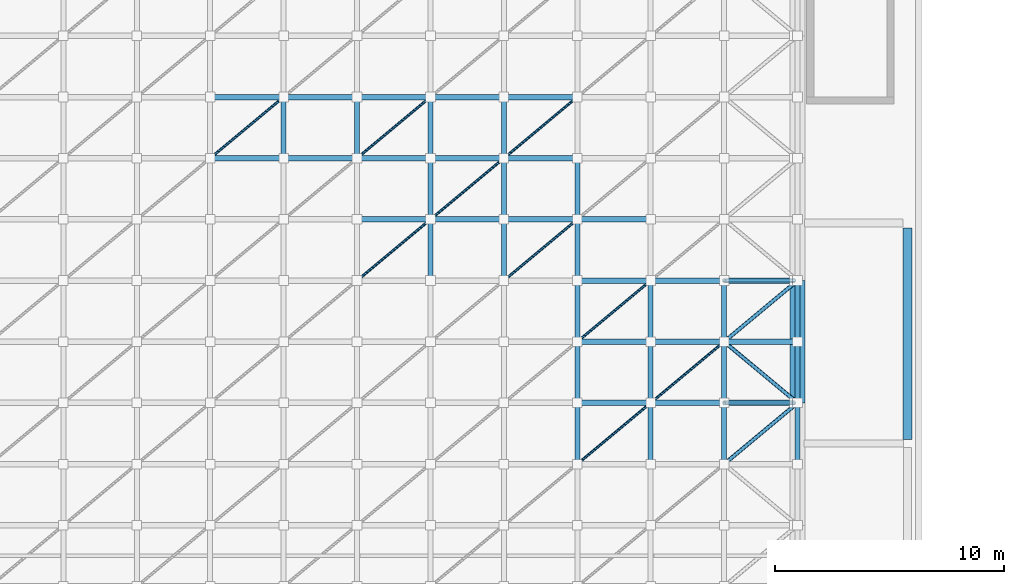
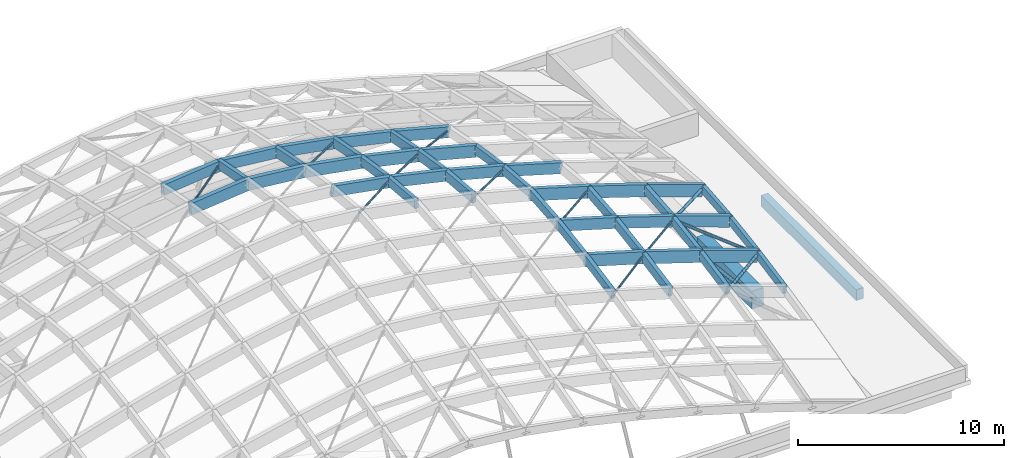
# One storey, part 20 of 40: 59 members, 2 beams.
"""IFC4 building model written with IfcOpenShell, lengths in metres."""

from ifc_helpers import new_model, si_unit, direction, frame, origin, origin_2d, place, context, subcontext, project, spatial, rectangle, hollow_circle, extrude, material, material_profile, profile_set, type_object, element, save


model = new_model("IFC4")

# Units and contexts
model_context = context("Model", 3, precision=1e-05, world=origin(), true_north=direction((0.0, 1.0)))
body_context = subcontext(model_context, "Body", "Model", "MODEL_VIEW")
ifc_project = project(units=[si_unit("LENGTHUNIT", "METRE"), si_unit("AREAUNIT", "SQUARE_METRE"), si_unit("VOLUMEUNIT", "CUBIC_METRE"), si_unit("PLANEANGLEUNIT", "RADIAN"), si_unit("MASSUNIT", "GRAM", prefix="KILO")], contexts=[model_context])

# Site, building, storey
site_placement = place(None, origin())
site = spatial("IfcSite", under=ifc_project, at=site_placement, CompositionType="ELEMENT")
building_placement = place(site_placement, origin())
building = spatial("IfcBuilding", under=site, at=building_placement, Name="Mzevani Central Library", CompositionType="ELEMENT")
storey_placement = place(building_placement, frame((0.0, 0.0, 26.699951171875)))
storey = spatial("IfcBuildingStorey", under=building, at=storey_placement, Name="RF", CompositionType="ELEMENT", Elevation=26.699951171875)

# Beam
ifc_material_1 = material(Name="Concrete C35/45", Category="concrete")
ifc_material_profile_1 = material_profile(ifc_material_1, rectangle(XDim=0.39990234375, YDim=0.64990234375, at=origin_2d()), Name="RC B400x650")
ifc_profile_set_1 = profile_set([ifc_material_profile_1], Name="Concrete C35/45")
beam_type_1 = type_object("IfcBeamType", Name="Beam RC 400x650", PredefinedType="BEAM", material=ifc_profile_set_1)
beam_1_placement = place(storey_placement, frame((163.800048828125, 52.175048828125, -13.48486328125), z_axis=(0.0, 1.0, 0.0), x_axis=(-1.0, 0.0, 0.0)))
element("IfcBeam", 1, at=beam_1_placement, inside=storey, type_object=beam_type_1, Name="RF V1 Frame Beam B-07 (174)", PredefinedType="BEAM", context=body_context, shape_type="SweptSolid", body=[
    extrude(rectangle(XDim=0.39990234375, YDim=0.64990234375, at=origin_2d()), origin(), (0.0, 0.0, 1.0), 9.224853515625),
])

# Members
ifc_material_2 = material(Name="Steel S355J2", Category="steel")
ifc_material_profile_2 = material_profile(ifc_material_2, hollow_circle(Radius=0.096923828125, WallThickness=0.010009765625, at=origin_2d()), Name="CHS 193.7x10.0")
ifc_profile_set_2 = profile_set([ifc_material_profile_2], Name="Steel S355J2")
member_type_1 = type_object("IfcMemberType", Name="Gridshell Corner Raker CHS 193.7", PredefinedType="BRACE", material=ifc_profile_set_2)
member_1_placement = place(storey_placement, frame((158.85009765625, 53.7666015625, -12.949951171875), z_axis=(-0.641107649177, 0.0, 0.767450964015), x_axis=(0.0, -1.0, 0.0)))
element("IfcMember", 2, at=member_1_placement, inside=storey, type_object=member_type_1, Name="RF Gridshell East Springing Raker 2", PredefinedType="BRACE", context=body_context, shape_type="SweptSolid", body=[
    extrude(hollow_circle(Radius=0.096923828125, WallThickness=0.010009765625, at=origin_2d()), origin(), (0.0, 0.0, 1.0), 4.757568359375),
])
member_2_placement = place(storey_placement, frame((158.85009765625, 59.10009765625, -12.949951171875), z_axis=(-0.578392368262, 0.0, 0.815758707178), x_axis=(0.0, -1.0, 0.0)))
element("IfcMember", 3, at=member_2_placement, inside=storey, type_object=member_type_1, Name="RF Gridshell East Springing Raker 3", PredefinedType="BRACE", context=body_context, shape_type="SweptSolid", body=[
    extrude(hollow_circle(Radius=0.096923828125, WallThickness=0.010009765625, at=origin_2d()), origin(), (0.0, 0.0, 1.0), 5.2734375),
])
ifc_material_profile_3 = material_profile(ifc_material_2, hollow_circle(Radius=0.05712890625, WallThickness=0.00634765625, at=origin_2d()), Name="CHS 114.3x6.3")
ifc_profile_set_3 = profile_set([ifc_material_profile_3], Name="Steel S355J2")
member_type_2 = type_object("IfcMemberType", Name="Gridshell Diagonal Brace CHS 114.3", PredefinedType="BRACE", material=ifc_profile_set_3)
member_3_placement = place(storey_placement, frame((133.39990234375, 64.433349609375, -5.1337890625), z_axis=(0.767453861287, 0.639525368236, -0.044965255223), x_axis=(-0.640172870191, 0.768230887345, 0.0)))
element("IfcMember", 4, at=member_3_placement, inside=storey, type_object=member_type_2, Name="RF Gridshell Steel Diagonal 7.9", PredefinedType="BRACE", context=body_context, shape_type="SweptSolid", body=[
    extrude(hollow_circle(Radius=0.05712890625, WallThickness=0.00634765625, at=origin_2d()), origin(), (0.0, 0.0, 1.0), 4.169921875),
])
member_4_placement = place(storey_placement, frame((139.800048828125, 59.10009765625, -4.483154296875), z_axis=(0.753924665613, 0.628241794295, -0.192119354783), x_axis=(-0.640167103973, 0.768235692344, 0.0)))
element("IfcMember", 5, at=member_4_placement, inside=storey, type_object=member_type_2, Name="RF Gridshell Steel Diagonal 9.7", PredefinedType="BRACE", context=body_context, shape_type="SweptSolid", body=[
    extrude(hollow_circle(Radius=0.05712890625, WallThickness=0.00634765625, at=origin_2d()), origin(), (0.0, 0.0, 1.0), 4.244384765625),
])
member_5_placement = place(storey_placement, frame((139.800048828125, 64.433349609375, -5.1337890625), z_axis=(0.742837703415, 0.619059756955, -0.254866952946), x_axis=(-0.640201694382, 0.768206867003, 0.0)))
element("IfcMember", 6, at=member_5_placement, inside=storey, type_object=member_type_2, Name="RF Gridshell Steel Diagonal 9.9", PredefinedType="BRACE", context=body_context, shape_type="SweptSolid", body=[
    extrude(hollow_circle(Radius=0.05712890625, WallThickness=0.00634765625, at=origin_2d()), origin(), (0.0, 0.0, 1.0), 4.307861328125),
])
member_6_placement = place(storey_placement, frame((143.0, 61.7666015625, -5.298583984375), z_axis=(0.74090866482, 0.617452151204, -0.264210505788), x_axis=(-0.640201694382, 0.768206867003, 0.0)))
element("IfcMember", 7, at=member_6_placement, inside=storey, type_object=member_type_2, Name="RF Gridshell Steel Diagonal 10.8", PredefinedType="BRACE", context=body_context, shape_type="SweptSolid", body=[
    extrude(hollow_circle(Radius=0.05712890625, WallThickness=0.00634765625, at=origin_2d()), origin(), (0.0, 0.0, 1.0), 4.31884765625),
])
member_7_placement = place(storey_placement, frame((146.199951171875, 59.10009765625, -5.7890625), z_axis=(0.743355359133, 0.619434442088, -0.252435698749), x_axis=(-0.640167103973, 0.768235692344, 0.0)))
element("IfcMember", 8, at=member_7_placement, inside=storey, type_object=member_type_2, Name="RF Gridshell Steel Diagonal 11.7", PredefinedType="BRACE", context=body_context, shape_type="SweptSolid", body=[
    extrude(hollow_circle(Radius=0.05712890625, WallThickness=0.00634765625, at=origin_2d()), origin(), (0.0, 0.0, 1.0), 4.3046875),
])
member_8_placement = place(storey_placement, frame((146.199951171875, 64.433349609375, -6.439697265625), z_axis=(0.729795837486, 0.608191037831, -0.312252617427), x_axis=(-0.640201694382, 0.768206867003, 0.0)))
element("IfcMember", 9, at=member_8_placement, inside=storey, type_object=member_type_2, Name="RF Gridshell Steel Diagonal 11.9", PredefinedType="BRACE", context=body_context, shape_type="SweptSolid", body=[
    extrude(hollow_circle(Radius=0.05712890625, WallThickness=0.00634765625, at=origin_2d()), origin(), (0.0, 0.0, 1.0), 4.384765625),
])
member_9_placement = place(storey_placement, frame((149.39990234375, 51.10009765625, -7.808837890625), z_axis=(0.764204648471, 0.636759472887, -0.102609107515), x_axis=(-0.640138279177, 0.768259710991, 0.0)))
element("IfcMember", 10, at=member_9_placement, inside=storey, type_object=member_type_2, Name="RF Gridshell Steel Diagonal 12.4", PredefinedType="BRACE", context=body_context, shape_type="SweptSolid", body=[
    extrude(hollow_circle(Radius=0.05712890625, WallThickness=0.00634765625, at=origin_2d()), origin(), (0.0, 0.0, 1.0), 4.1875),
])
member_10_placement = place(storey_placement, frame((149.39990234375, 56.433349609375, -6.875732421875), z_axis=(0.757244607319, 0.631017916215, -0.168514076865), x_axis=(-0.640172870191, 0.768230887345, 0.0)))
element("IfcMember", 11, at=member_10_placement, inside=storey, type_object=member_type_2, Name="RF Gridshell Steel Diagonal 12.6", PredefinedType="BRACE", context=body_context, shape_type="SweptSolid", body=[
    extrude(hollow_circle(Radius=0.05712890625, WallThickness=0.00634765625, at=origin_2d()), origin(), (0.0, 0.0, 1.0), 4.22607421875),
])
member_11_placement = place(storey_placement, frame((152.60009765625, 53.7666015625, -8.238525390625), z_axis=(0.759624361596, 0.633049279142, -0.149061864502), x_axis=(-0.640201694382, 0.768206867003, 0.0)))
element("IfcMember", 12, at=member_11_placement, inside=storey, type_object=member_type_2, Name="RF Gridshell Steel Diagonal 13.5", PredefinedType="BRACE", context=body_context, shape_type="SweptSolid", body=[
    extrude(hollow_circle(Radius=0.05712890625, WallThickness=0.00634765625, at=origin_2d()), origin(), (0.0, 0.0, 1.0), 4.212646484375),
])
ifc_material_3 = material(Name="Glulam GL28h", Category="wood")
ifc_material_profile_4 = material_profile(ifc_material_3, rectangle(XDim=0.199951171875, YDim=0.47998046875, at=origin_2d()), Name="GL28h 200x480")
ifc_profile_set_4 = profile_set([ifc_material_profile_4], Name="Glulam GL28h")
member_type_3 = type_object("IfcMemberType", Name="Gridshell Edge Rib GL28h 200x480", PredefinedType="RAFTER", material=ifc_profile_set_4)
member_12_placement = place(storey_placement, frame((159.0, 51.10009765625, -10.89111328125), z_axis=(0.0, 0.981475757945, 0.191586368425), x_axis=(-1.0, 0.0, 0.0)))
element("IfcMember", 13, at=member_12_placement, inside=storey, type_object=member_type_3, Name="RF Gridshell Glulam Transverse Rib Y15.4", PredefinedType="RAFTER", context=body_context, shape_type="SweptSolid", body=[
    extrude(rectangle(XDim=0.199951171875, YDim=0.47998046875, at=origin_2d()), origin(), (0.0, 0.0, 1.0), 2.716796875),
])
member_13_placement = place(storey_placement, frame((159.0, 53.7666015625, -10.37060546875), z_axis=(0.0, 0.988241642061, 0.152900153354), x_axis=(-1.0, 0.0, 0.0)))
element("IfcMember", 14, at=member_13_placement, inside=storey, type_object=member_type_3, Name="RF Gridshell Glulam Transverse Rib Y15.5", PredefinedType="RAFTER", context=body_context, shape_type="SweptSolid", body=[
    extrude(rectangle(XDim=0.199951171875, YDim=0.47998046875, at=origin_2d()), origin(), (0.0, 0.0, 1.0), 2.698486328125),
])
member_14_placement = place(storey_placement, frame((159.0, 56.433349609375, -9.9580078125), z_axis=(0.0, 0.996039868593, 0.08890770593), x_axis=(-1.0, 0.0, 0.0)))
element("IfcMember", 15, at=member_14_placement, inside=storey, type_object=member_type_3, Name="RF Gridshell Glulam Transverse Rib Y15.6", PredefinedType="RAFTER", context=body_context, shape_type="SweptSolid", body=[
    extrude(rectangle(XDim=0.199951171875, YDim=0.47998046875, at=origin_2d()), origin(), (0.0, 0.0, 1.0), 2.67724609375),
])
ifc_material_profile_5 = material_profile(ifc_material_3, rectangle(XDim=0.239990234375, YDim=0.6201171875, at=origin_2d()), Name="GL28h 240x620")
ifc_profile_set_5 = profile_set([ifc_material_profile_5], Name="Glulam GL28h")
member_type_4 = type_object("IfcMemberType", Name="Gridshell Primary Rib GL28h 240x620", PredefinedType="RAFTER", material=ifc_profile_set_5)
member_15_placement = place(storey_placement, frame((149.39990234375, 56.433349609375, -6.915771484375), z_axis=(0.958635641973, 0.0, -0.284636093879), x_axis=(0.0, 1.0, 0.0)))
element("IfcMember", 16, at=member_15_placement, inside=storey, type_object=member_type_4, Name="RF Gridshell Glulam Arch Rib X6.12", PredefinedType="RAFTER", context=body_context, shape_type="SweptSolid", body=[
    extrude(rectangle(XDim=0.239990234375, YDim=0.6201171875, at=origin_2d()), origin(), (0.0, 0.0, 1.0), 3.33837890625),
])
member_16_placement = place(storey_placement, frame((152.60009765625, 56.433349609375, -7.865966796875), z_axis=(0.950986603107, 0.0, -0.30923208228), x_axis=(0.0, 1.0, 0.0)))
element("IfcMember", 17, at=member_16_placement, inside=storey, type_object=member_type_4, Name="RF Gridshell Glulam Arch Rib X6.13", PredefinedType="RAFTER", context=body_context, shape_type="SweptSolid", body=[
    extrude(rectangle(XDim=0.239990234375, YDim=0.6201171875, at=origin_2d()), origin(), (0.0, 0.0, 1.0), 3.364990234375),
])
member_17_placement = place(storey_placement, frame((155.800048828125, 56.433349609375, -8.906494140625), z_axis=(0.943711214964, 0.0, -0.330770528843), x_axis=(0.0, 1.0, 0.0)))
element("IfcMember", 18, at=member_17_placement, inside=storey, type_object=member_type_4, Name="RF Gridshell Glulam Arch Rib X6.14", PredefinedType="RAFTER", context=body_context, shape_type="SweptSolid", body=[
    extrude(rectangle(XDim=0.239990234375, YDim=0.6201171875, at=origin_2d()), origin(), (0.0, 0.0, 1.0), 3.390869140625),
])
member_18_placement = place(storey_placement, frame((139.800048828125, 61.7666015625, -4.761474609375), z_axis=(0.984121212692, 0.0, -0.177497714718), x_axis=(0.0, 1.0, 0.0)))
element("IfcMember", 19, at=member_18_placement, inside=storey, type_object=member_type_4, Name="RF Gridshell Glulam Arch Rib X8.9", PredefinedType="RAFTER", context=body_context, shape_type="SweptSolid", body=[
    extrude(rectangle(XDim=0.239990234375, YDim=0.6201171875, at=origin_2d()), origin(), (0.0, 0.0, 1.0), 3.25146484375),
])
member_19_placement = place(storey_placement, frame((143.0, 61.7666015625, -5.338623046875), z_axis=(0.975050212006, 0.0, -0.221984423028), x_axis=(0.0, 1.0, 0.0)))
element("IfcMember", 20, at=member_19_placement, inside=storey, type_object=member_type_4, Name="RF Gridshell Glulam Arch Rib X8.10", PredefinedType="RAFTER", context=body_context, shape_type="SweptSolid", body=[
    extrude(rectangle(XDim=0.239990234375, YDim=0.6201171875, at=origin_2d()), origin(), (0.0, 0.0, 1.0), 3.28173828125),
])
member_20_placement = place(storey_placement, frame((146.199951171875, 61.7666015625, -6.067138671875), z_axis=(0.966586546506, 0.0, -0.256340492535), x_axis=(0.0, 1.0, 0.0)))
element("IfcMember", 21, at=member_20_placement, inside=storey, type_object=member_type_4, Name="RF Gridshell Glulam Arch Rib X8.11", PredefinedType="RAFTER", context=body_context, shape_type="SweptSolid", body=[
    extrude(rectangle(XDim=0.239990234375, YDim=0.6201171875, at=origin_2d()), origin(), (0.0, 0.0, 1.0), 3.310546875),
])
member_21_placement = place(storey_placement, frame((149.39990234375, 61.7666015625, -6.915771484375), z_axis=(0.958635641973, 0.0, -0.284636093879), x_axis=(0.0, 1.0, 0.0)))
element("IfcMember", 22, at=member_21_placement, inside=storey, type_object=member_type_4, Name="RF Gridshell Glulam Arch Rib X8.12", PredefinedType="RAFTER", context=body_context, shape_type="SweptSolid", body=[
    extrude(rectangle(XDim=0.239990234375, YDim=0.6201171875, at=origin_2d()), origin(), (0.0, 0.0, 1.0), 3.33837890625),
])
member_22_placement = place(storey_placement, frame((133.39990234375, 67.10009765625, -5.694580078125), z_axis=(0.994621666406, 0.0, 0.103574807342), x_axis=(0.0, 1.0, 0.0)))
element("IfcMember", 23, at=member_22_placement, inside=storey, type_object=member_type_4, Name="RF Gridshell Glulam Arch Rib X10.7", PredefinedType="RAFTER", context=body_context, shape_type="SweptSolid", body=[
    extrude(rectangle(XDim=0.239990234375, YDim=0.6201171875, at=origin_2d()), origin(), (0.0, 0.0, 1.0), 3.217529296875),
])
member_23_placement = place(storey_placement, frame((136.60009765625, 67.10009765625, -5.361328125), z_axis=(0.994620852304, 0.0, -0.103582624811), x_axis=(0.0, 1.0, 0.0)))
element("IfcMember", 24, at=member_23_placement, inside=storey, type_object=member_type_4, Name="RF Gridshell Glulam Arch Rib X10.8", PredefinedType="RAFTER", context=body_context, shape_type="SweptSolid", body=[
    extrude(rectangle(XDim=0.239990234375, YDim=0.6201171875, at=origin_2d()), origin(), (0.0, 0.0, 1.0), 3.21728515625),
])
member_24_placement = place(storey_placement, frame((139.800048828125, 67.10009765625, -5.694580078125), z_axis=(0.984121212692, 0.0, -0.177497714718), x_axis=(0.0, 1.0, 0.0)))
element("IfcMember", 25, at=member_24_placement, inside=storey, type_object=member_type_4, Name="RF Gridshell Glulam Arch Rib X10.9", PredefinedType="RAFTER", context=body_context, shape_type="SweptSolid", body=[
    extrude(rectangle(XDim=0.239990234375, YDim=0.6201171875, at=origin_2d()), origin(), (0.0, 0.0, 1.0), 3.25146484375),
])
member_25_placement = place(storey_placement, frame((143.0, 67.10009765625, -6.271728515625), z_axis=(0.975034107954, 0.0, -0.222055147039), x_axis=(0.0, 1.0, 0.0)))
element("IfcMember", 26, at=member_25_placement, inside=storey, type_object=member_type_4, Name="RF Gridshell Glulam Arch Rib X10.10", PredefinedType="RAFTER", context=body_context, shape_type="SweptSolid", body=[
    extrude(rectangle(XDim=0.239990234375, YDim=0.6201171875, at=origin_2d()), origin(), (0.0, 0.0, 1.0), 3.281982421875),
])
member_26_placement = place(storey_placement, frame((146.199951171875, 67.10009765625, -7.00048828125), z_axis=(0.966604816788, 0.0, -0.256271590626), x_axis=(0.0, 1.0, 0.0)))
element("IfcMember", 27, at=member_26_placement, inside=storey, type_object=member_type_4, Name="RF Gridshell Glulam Arch Rib X10.11", PredefinedType="RAFTER", context=body_context, shape_type="SweptSolid", body=[
    extrude(rectangle(XDim=0.239990234375, YDim=0.6201171875, at=origin_2d()), origin(), (0.0, 0.0, 1.0), 3.310546875),
])
ifc_material_profile_6 = material_profile(ifc_material_3, rectangle(XDim=0.239990234375, YDim=0.679931640625, at=origin_2d()), Name="GL28h 240x680")
ifc_profile_set_6 = profile_set([ifc_material_profile_6], Name="Glulam GL28h")
member_type_5 = type_object("IfcMemberType", Name="Gridshell Primary Rib GL28h 240x680", PredefinedType="RAFTER", material=ifc_profile_set_6)
member_27_placement = place(storey_placement, frame((149.39990234375, 53.7666015625, -7.358154296875), z_axis=(0.958615684622, 0.0, -0.284703300292), x_axis=(0.0, 1.0, 0.0)))
element("IfcMember", 28, at=member_27_placement, inside=storey, type_object=member_type_5, Name="RF Gridshell Glulam Arch Rib X5.12", PredefinedType="RAFTER", context=body_context, shape_type="SweptSolid", body=[
    extrude(rectangle(XDim=0.239990234375, YDim=0.679931640625, at=origin_2d()), origin(), (0.0, 0.0, 1.0), 3.33837890625),
])
member_28_placement = place(storey_placement, frame((152.60009765625, 53.7666015625, -8.30859375), z_axis=(0.951007938159, 0.0, -0.309166462539), x_axis=(0.0, 1.0, 0.0)))
element("IfcMember", 29, at=member_28_placement, inside=storey, type_object=member_type_5, Name="RF Gridshell Glulam Arch Rib X5.13", PredefinedType="RAFTER", context=body_context, shape_type="SweptSolid", body=[
    extrude(rectangle(XDim=0.239990234375, YDim=0.679931640625, at=origin_2d()), origin(), (0.0, 0.0, 1.0), 3.36474609375),
])
member_29_placement = place(storey_placement, frame((155.800048828125, 53.7666015625, -9.348876953125), z_axis=(0.943711214964, 0.0, -0.330770528843), x_axis=(0.0, 1.0, 0.0)))
element("IfcMember", 30, at=member_29_placement, inside=storey, type_object=member_type_5, Name="RF Gridshell Glulam Arch Rib X5.14", PredefinedType="RAFTER", context=body_context, shape_type="SweptSolid", body=[
    extrude(rectangle(XDim=0.239990234375, YDim=0.679931640625, at=origin_2d()), origin(), (0.0, 0.0, 1.0), 3.390869140625),
])
member_30_placement = place(storey_placement, frame((149.39990234375, 59.10009765625, -6.70751953125), z_axis=(0.958615684622, 0.0, -0.284703300292), x_axis=(0.0, 1.0, 0.0)))
element("IfcMember", 31, at=member_30_placement, inside=storey, type_object=member_type_5, Name="RF Gridshell Glulam Arch Rib X7.12", PredefinedType="RAFTER", context=body_context, shape_type="SweptSolid", body=[
    extrude(rectangle(XDim=0.239990234375, YDim=0.679931640625, at=origin_2d()), origin(), (0.0, 0.0, 1.0), 3.33837890625),
])
member_31_placement = place(storey_placement, frame((152.60009765625, 59.10009765625, -7.657958984375), z_axis=(0.951007938159, 0.0, -0.309166462539), x_axis=(0.0, 1.0, 0.0)))
element("IfcMember", 32, at=member_31_placement, inside=storey, type_object=member_type_5, Name="RF Gridshell Glulam Arch Rib X7.13", PredefinedType="RAFTER", context=body_context, shape_type="SweptSolid", body=[
    extrude(rectangle(XDim=0.239990234375, YDim=0.679931640625, at=origin_2d()), origin(), (0.0, 0.0, 1.0), 3.36474609375),
])
member_32_placement = place(storey_placement, frame((155.800048828125, 59.10009765625, -8.6982421875), z_axis=(0.943688738215, 0.0, -0.330834649584), x_axis=(0.0, 1.0, 0.0)))
element("IfcMember", 33, at=member_32_placement, inside=storey, type_object=member_type_5, Name="RF Gridshell Glulam Arch Rib X7.14", PredefinedType="RAFTER", context=body_context, shape_type="SweptSolid", body=[
    extrude(rectangle(XDim=0.239990234375, YDim=0.679931640625, at=origin_2d()), origin(), (0.0, 0.0, 1.0), 3.390869140625),
])
member_33_placement = place(storey_placement, frame((133.39990234375, 64.433349609375, -5.203857421875), z_axis=(0.994621666406, 0.0, 0.103574807342), x_axis=(0.0, 1.0, 0.0)))
element("IfcMember", 34, at=member_33_placement, inside=storey, type_object=member_type_5, Name="RF Gridshell Glulam Arch Rib X9.7", PredefinedType="RAFTER", context=body_context, shape_type="SweptSolid", body=[
    extrude(rectangle(XDim=0.239990234375, YDim=0.679931640625, at=origin_2d()), origin(), (0.0, 0.0, 1.0), 3.217529296875),
])
member_34_placement = place(storey_placement, frame((136.60009765625, 64.433349609375, -4.87060546875), z_axis=(0.994620852304, 0.0, -0.103582624811), x_axis=(0.0, 1.0, 0.0)))
element("IfcMember", 35, at=member_34_placement, inside=storey, type_object=member_type_5, Name="RF Gridshell Glulam Arch Rib X9.8", PredefinedType="RAFTER", context=body_context, shape_type="SweptSolid", body=[
    extrude(rectangle(XDim=0.239990234375, YDim=0.679931640625, at=origin_2d()), origin(), (0.0, 0.0, 1.0), 3.21728515625),
])
member_35_placement = place(storey_placement, frame((139.800048828125, 64.433349609375, -5.203857421875), z_axis=(0.984121212692, 0.0, -0.177497714718), x_axis=(0.0, 1.0, 0.0)))
element("IfcMember", 36, at=member_35_placement, inside=storey, type_object=member_type_5, Name="RF Gridshell Glulam Arch Rib X9.9", PredefinedType="RAFTER", context=body_context, shape_type="SweptSolid", body=[
    extrude(rectangle(XDim=0.239990234375, YDim=0.679931640625, at=origin_2d()), origin(), (0.0, 0.0, 1.0), 3.25146484375),
])
member_36_placement = place(storey_placement, frame((143.0, 64.433349609375, -5.781005859375), z_axis=(0.975034107954, 0.0, -0.222055147039), x_axis=(0.0, 1.0, 0.0)))
element("IfcMember", 37, at=member_36_placement, inside=storey, type_object=member_type_5, Name="RF Gridshell Glulam Arch Rib X9.10", PredefinedType="RAFTER", context=body_context, shape_type="SweptSolid", body=[
    extrude(rectangle(XDim=0.239990234375, YDim=0.679931640625, at=origin_2d()), origin(), (0.0, 0.0, 1.0), 3.281982421875),
])
member_37_placement = place(storey_placement, frame((146.199951171875, 64.433349609375, -6.509765625), z_axis=(0.966604816788, 0.0, -0.256271590626), x_axis=(0.0, 1.0, 0.0)))
element("IfcMember", 38, at=member_37_placement, inside=storey, type_object=member_type_5, Name="RF Gridshell Glulam Arch Rib X9.11", PredefinedType="RAFTER", context=body_context, shape_type="SweptSolid", body=[
    extrude(rectangle(XDim=0.239990234375, YDim=0.679931640625, at=origin_2d()), origin(), (0.0, 0.0, 1.0), 3.310546875),
])

# Beam
ifc_material_4 = material(Name="Concrete C40/50", Category="concrete")
ifc_material_profile_7 = material_profile(ifc_material_4, rectangle(XDim=0.64990234375, YDim=1.050048828125, at=origin_2d()), Name="RC RB650x1050")
ifc_profile_set_7 = profile_set([ifc_material_profile_7], Name="Concrete C40/50")
beam_type_2 = type_object("IfcBeamType", Name="Gridshell Ring Beam RC 650x1050", PredefinedType="BEAM", material=ifc_profile_set_7)
beam_2_placement = place(storey_placement, frame((159.0, 53.7666015625, -13.02490234375), z_axis=(0.0, 1.0, 0.0), x_axis=(-1.0, 0.0, 0.0)))
element("IfcBeam", 39, at=beam_2_placement, inside=storey, type_object=beam_type_2, Name="RF Gridshell Ring Beam East Bay 3", PredefinedType="BEAM", context=body_context, shape_type="SweptSolid", body=[
    extrude(rectangle(XDim=0.64990234375, YDim=1.050048828125, at=origin_2d()), origin(), (0.0, 0.0, 1.0), 5.33349609375),
])

# Members
ifc_material_profile_8 = material_profile(ifc_material_2, hollow_circle(Radius=0.084228515625, WallThickness=0.010009765625, at=origin_2d()), Name="CHS 168.3x10.0")
ifc_profile_set_8 = profile_set([ifc_material_profile_8], Name="Steel S355J2")
member_type_6 = type_object("IfcMemberType", Name="Gridshell Springing Brace CHS 168.3", PredefinedType="BRACE", material=ifc_profile_set_8)
member_38_placement = place(storey_placement, frame((155.800048828125, 51.10009765625, -9.799560546875), z_axis=(0.760359721257, 0.633604095184, -0.14282487478), x_axis=(-0.640167103973, 0.768235692344, 0.0)))
element("IfcMember", 40, at=member_38_placement, inside=storey, type_object=member_type_6, Name="RF Gridshell Steel Diagonal 14.4", PredefinedType="BRACE", context=body_context, shape_type="SweptSolid", body=[
    extrude(hollow_circle(Radius=0.084228515625, WallThickness=0.010009765625, at=origin_2d()), origin(), (0.0, 0.0, 1.0), 4.20849609375),
])
member_39_placement = place(storey_placement, frame((155.800048828125, 56.433349609375, -8.866455078125), z_axis=(0.720868076793, -0.600750896682, -0.345611886364), x_axis=(0.640201694382, 0.768206867003, 0.0)))
element("IfcMember", 41, at=member_39_placement, inside=storey, type_object=member_type_6, Name="RF Gridshell Steel Diagonal 14.5", PredefinedType="BRACE", context=body_context, shape_type="SweptSolid", body=[
    extrude(hollow_circle(Radius=0.084228515625, WallThickness=0.010009765625, at=origin_2d()), origin(), (0.0, 0.0, 1.0), 4.43896484375),
])
member_40_placement = place(storey_placement, frame((155.800048828125, 56.433349609375, -8.866455078125), z_axis=(0.751487709536, 0.626268425365, -0.207494775373), x_axis=(-0.640201694382, 0.768206867003, 0.0)))
element("IfcMember", 42, at=member_40_placement, inside=storey, type_object=member_type_6, Name="RF Gridshell Steel Diagonal 14.6", PredefinedType="BRACE", context=body_context, shape_type="SweptSolid", body=[
    extrude(hollow_circle(Radius=0.084228515625, WallThickness=0.010009765625, at=origin_2d()), origin(), (0.0, 0.0, 1.0), 4.258056640625),
])
ifc_material_profile_9 = material_profile(ifc_material_3, rectangle(XDim=0.219970703125, YDim=0.52001953125, at=origin_2d()), Name="GL28h 220x520")
ifc_profile_set_9 = profile_set([ifc_material_profile_9], Name="Glulam GL28h")
member_type_7 = type_object("IfcMemberType", Name="Gridshell Transverse Rib GL28h 220x520", PredefinedType="RAFTER", material=ifc_profile_set_9)
member_41_placement = place(storey_placement, frame((136.60009765625, 64.433349609375, -4.79052734375), z_axis=(0.0, 0.981462157865, -0.191656026982), x_axis=(-1.0, 0.0, 0.0)))
element("IfcMember", 43, at=member_41_placement, inside=storey, type_object=member_type_7, Name="RF Gridshell Glulam Transverse Rib Y8.9", PredefinedType="RAFTER", context=body_context, shape_type="SweptSolid", body=[
    extrude(rectangle(XDim=0.219970703125, YDim=0.52001953125, at=origin_2d()), origin(), (0.0, 0.0, 1.0), 2.717041015625),
])
member_42_placement = place(storey_placement, frame((143.0, 59.10009765625, -5.050537109375), z_axis=(0.0, 0.996039147696, -0.088915781817), x_axis=(-1.0, 0.0, 0.0)))
element("IfcMember", 44, at=member_42_placement, inside=storey, type_object=member_type_7, Name="RF Gridshell Glulam Transverse Rib Y10.7", PredefinedType="RAFTER", context=body_context, shape_type="SweptSolid", body=[
    extrude(rectangle(XDim=0.219970703125, YDim=0.52001953125, at=origin_2d()), origin(), (0.0, 0.0, 1.0), 2.677001953125),
])
member_43_placement = place(storey_placement, frame((143.0, 61.7666015625, -5.28857421875), z_axis=(0.0, 0.988241642061, -0.152900153354), x_axis=(-1.0, 0.0, 0.0)))
element("IfcMember", 45, at=member_43_placement, inside=storey, type_object=member_type_7, Name="RF Gridshell Glulam Transverse Rib Y10.8", PredefinedType="RAFTER", context=body_context, shape_type="SweptSolid", body=[
    extrude(rectangle(XDim=0.219970703125, YDim=0.52001953125, at=origin_2d()), origin(), (0.0, 0.0, 1.0), 2.698486328125),
])
member_44_placement = place(storey_placement, frame((143.0, 64.433349609375, -5.701171875), z_axis=(0.0, 0.981479055934, -0.191569472421), x_axis=(-1.0, 0.0, 0.0)))
element("IfcMember", 46, at=member_44_placement, inside=storey, type_object=member_type_7, Name="RF Gridshell Glulam Transverse Rib Y10.9", PredefinedType="RAFTER", context=body_context, shape_type="SweptSolid", body=[
    extrude(rectangle(XDim=0.219970703125, YDim=0.52001953125, at=origin_2d()), origin(), (0.0, 0.0, 1.0), 2.717041015625),
])
member_45_placement = place(storey_placement, frame((149.39990234375, 51.10009765625, -7.798828125), z_axis=(0.0, 0.981458856952, 0.191672930038), x_axis=(-1.0, 0.0, 0.0)))
element("IfcMember", 47, at=member_45_placement, inside=storey, type_object=member_type_7, Name="RF Gridshell Glulam Transverse Rib Y12.4", PredefinedType="RAFTER", context=body_context, shape_type="SweptSolid", body=[
    extrude(rectangle(XDim=0.219970703125, YDim=0.52001953125, at=origin_2d()), origin(), (0.0, 0.0, 1.0), 2.716796875),
])
member_46_placement = place(storey_placement, frame((149.39990234375, 53.7666015625, -7.278076171875), z_axis=(0.0, 0.988255309049, 0.152811793187), x_axis=(-1.0, 0.0, 0.0)))
element("IfcMember", 48, at=member_46_placement, inside=storey, type_object=member_type_7, Name="RF Gridshell Glulam Transverse Rib Y12.5", PredefinedType="RAFTER", context=body_context, shape_type="SweptSolid", body=[
    extrude(rectangle(XDim=0.219970703125, YDim=0.52001953125, at=origin_2d()), origin(), (0.0, 0.0, 1.0), 2.698486328125),
])
member_47_placement = place(storey_placement, frame((149.39990234375, 56.433349609375, -6.86572265625), z_axis=(0.0, 0.996031789394, 0.088998171423), x_axis=(-1.0, 0.0, 0.0)))
element("IfcMember", 49, at=member_47_placement, inside=storey, type_object=member_type_7, Name="RF Gridshell Glulam Transverse Rib Y12.6", PredefinedType="RAFTER", context=body_context, shape_type="SweptSolid", body=[
    extrude(rectangle(XDim=0.219970703125, YDim=0.52001953125, at=origin_2d()), origin(), (0.0, 0.0, 1.0), 2.677490234375),
])
member_48_placement = place(storey_placement, frame((149.39990234375, 59.10009765625, -6.62744140625), z_axis=(0.0, 0.996031067036, -0.089006255395), x_axis=(-1.0, 0.0, 0.0)))
element("IfcMember", 50, at=member_48_placement, inside=storey, type_object=member_type_7, Name="RF Gridshell Glulam Transverse Rib Y12.7", PredefinedType="RAFTER", context=body_context, shape_type="SweptSolid", body=[
    extrude(rectangle(XDim=0.219970703125, YDim=0.52001953125, at=origin_2d()), origin(), (0.0, 0.0, 1.0), 2.67724609375),
])
member_49_placement = place(storey_placement, frame((149.39990234375, 61.7666015625, -6.86572265625), z_axis=(0.0, 0.988255309049, -0.152811793187), x_axis=(-1.0, 0.0, 0.0)))
element("IfcMember", 51, at=member_49_placement, inside=storey, type_object=member_type_7, Name="RF Gridshell Glulam Transverse Rib Y12.8", PredefinedType="RAFTER", context=body_context, shape_type="SweptSolid", body=[
    extrude(rectangle(XDim=0.219970703125, YDim=0.52001953125, at=origin_2d()), origin(), (0.0, 0.0, 1.0), 2.698486328125),
])
member_50_placement = place(storey_placement, frame((155.800048828125, 51.10009765625, -9.78955078125), z_axis=(0.0, 0.981458856952, 0.191672930038), x_axis=(-1.0, 0.0, 0.0)))
element("IfcMember", 52, at=member_50_placement, inside=storey, type_object=member_type_7, Name="RF Gridshell Glulam Transverse Rib Y14.4", PredefinedType="RAFTER", context=body_context, shape_type="SweptSolid", body=[
    extrude(rectangle(XDim=0.219970703125, YDim=0.52001953125, at=origin_2d()), origin(), (0.0, 0.0, 1.0), 2.716796875),
])
member_51_placement = place(storey_placement, frame((155.800048828125, 53.7666015625, -9.268798828125), z_axis=(0.0, 0.988255309049, 0.152811793187), x_axis=(-1.0, 0.0, 0.0)))
element("IfcMember", 53, at=member_51_placement, inside=storey, type_object=member_type_7, Name="RF Gridshell Glulam Transverse Rib Y14.5", PredefinedType="RAFTER", context=body_context, shape_type="SweptSolid", body=[
    extrude(rectangle(XDim=0.219970703125, YDim=0.52001953125, at=origin_2d()), origin(), (0.0, 0.0, 1.0), 2.698486328125),
])
member_52_placement = place(storey_placement, frame((155.800048828125, 56.433349609375, -8.8564453125), z_axis=(0.0, 0.996031789394, 0.088998171423), x_axis=(-1.0, 0.0, 0.0)))
element("IfcMember", 54, at=member_52_placement, inside=storey, type_object=member_type_7, Name="RF Gridshell Glulam Transverse Rib Y14.6", PredefinedType="RAFTER", context=body_context, shape_type="SweptSolid", body=[
    extrude(rectangle(XDim=0.219970703125, YDim=0.52001953125, at=origin_2d()), origin(), (0.0, 0.0, 1.0), 2.677490234375),
])
ifc_material_profile_10 = material_profile(ifc_material_3, rectangle(XDim=0.219970703125, YDim=0.580078125, at=origin_2d()), Name="GL28h 220x580")
ifc_profile_set_10 = profile_set([ifc_material_profile_10], Name="Glulam GL28h")
member_type_8 = type_object("IfcMemberType", Name="Gridshell Transverse Rib GL28h 220x580", PredefinedType="RAFTER", material=ifc_profile_set_10)
member_53_placement = place(storey_placement, frame((139.800048828125, 64.433349609375, -5.15380859375), z_axis=(0.0, 0.981462157865, -0.191656026982), x_axis=(-1.0, 0.0, 0.0)))
element("IfcMember", 55, at=member_53_placement, inside=storey, type_object=member_type_8, Name="RF Gridshell Glulam Transverse Rib Y9.9", PredefinedType="RAFTER", context=body_context, shape_type="SweptSolid", body=[
    extrude(rectangle(XDim=0.219970703125, YDim=0.580078125, at=origin_2d()), origin(), (0.0, 0.0, 1.0), 2.717041015625),
])
member_54_placement = place(storey_placement, frame((146.199951171875, 59.10009765625, -5.80908203125), z_axis=(0.0, 0.996031067036, -0.089006255395), x_axis=(-1.0, 0.0, 0.0)))
element("IfcMember", 56, at=member_54_placement, inside=storey, type_object=member_type_8, Name="RF Gridshell Glulam Transverse Rib Y11.7", PredefinedType="RAFTER", context=body_context, shape_type="SweptSolid", body=[
    extrude(rectangle(XDim=0.219970703125, YDim=0.580078125, at=origin_2d()), origin(), (0.0, 0.0, 1.0), 2.67724609375),
])
member_55_placement = place(storey_placement, frame((146.199951171875, 61.7666015625, -6.04736328125), z_axis=(0.0, 0.988255309049, -0.152811793187), x_axis=(-1.0, 0.0, 0.0)))
element("IfcMember", 57, at=member_55_placement, inside=storey, type_object=member_type_8, Name="RF Gridshell Glulam Transverse Rib Y11.8", PredefinedType="RAFTER", context=body_context, shape_type="SweptSolid", body=[
    extrude(rectangle(XDim=0.219970703125, YDim=0.580078125, at=origin_2d()), origin(), (0.0, 0.0, 1.0), 2.698486328125),
])
member_56_placement = place(storey_placement, frame((146.199951171875, 64.433349609375, -6.459716796875), z_axis=(0.0, 0.981462157865, -0.191656026982), x_axis=(-1.0, 0.0, 0.0)))
element("IfcMember", 58, at=member_56_placement, inside=storey, type_object=member_type_8, Name="RF Gridshell Glulam Transverse Rib Y11.9", PredefinedType="RAFTER", context=body_context, shape_type="SweptSolid", body=[
    extrude(rectangle(XDim=0.219970703125, YDim=0.580078125, at=origin_2d()), origin(), (0.0, 0.0, 1.0), 2.717041015625),
])
member_57_placement = place(storey_placement, frame((152.60009765625, 51.10009765625, -8.779296875), z_axis=(0.0, 0.981458856952, 0.191672930038), x_axis=(-1.0, 0.0, 0.0)))
element("IfcMember", 59, at=member_57_placement, inside=storey, type_object=member_type_8, Name="RF Gridshell Glulam Transverse Rib Y13.4", PredefinedType="RAFTER", context=body_context, shape_type="SweptSolid", body=[
    extrude(rectangle(XDim=0.219970703125, YDim=0.580078125, at=origin_2d()), origin(), (0.0, 0.0, 1.0), 2.716796875),
])
member_58_placement = place(storey_placement, frame((152.60009765625, 53.7666015625, -8.258544921875), z_axis=(0.0, 0.988241642061, 0.152900153354), x_axis=(-1.0, 0.0, 0.0)))
element("IfcMember", 60, at=member_58_placement, inside=storey, type_object=member_type_8, Name="RF Gridshell Glulam Transverse Rib Y13.5", PredefinedType="RAFTER", context=body_context, shape_type="SweptSolid", body=[
    extrude(rectangle(XDim=0.219970703125, YDim=0.580078125, at=origin_2d()), origin(), (0.0, 0.0, 1.0), 2.698486328125),
])
member_59_placement = place(storey_placement, frame((152.60009765625, 56.433349609375, -7.845947265625), z_axis=(0.0, 0.996039868593, 0.08890770593), x_axis=(-1.0, 0.0, 0.0)))
element("IfcMember", 61, at=member_59_placement, inside=storey, type_object=member_type_8, Name="RF Gridshell Glulam Transverse Rib Y13.6", PredefinedType="RAFTER", context=body_context, shape_type="SweptSolid", body=[
    extrude(rectangle(XDim=0.219970703125, YDim=0.580078125, at=origin_2d()), origin(), (0.0, 0.0, 1.0), 2.67724609375),
])

save(model, "model.ifc")
